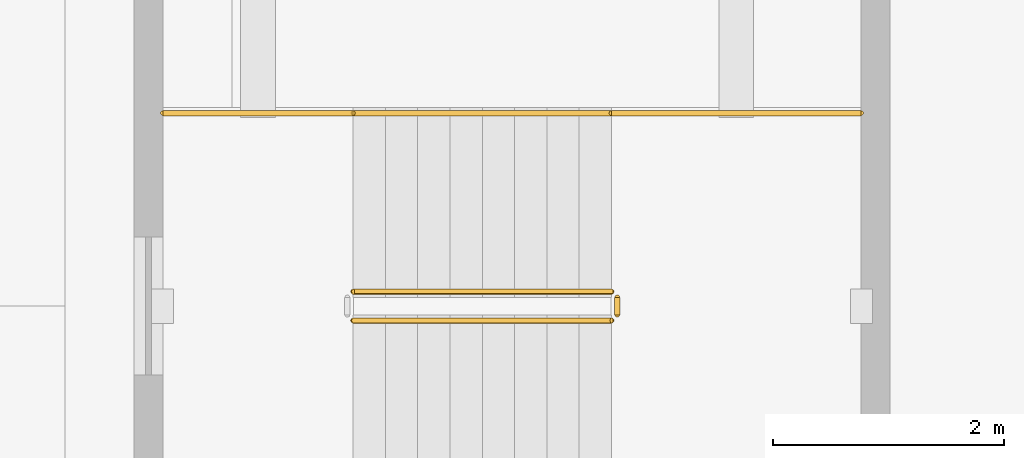
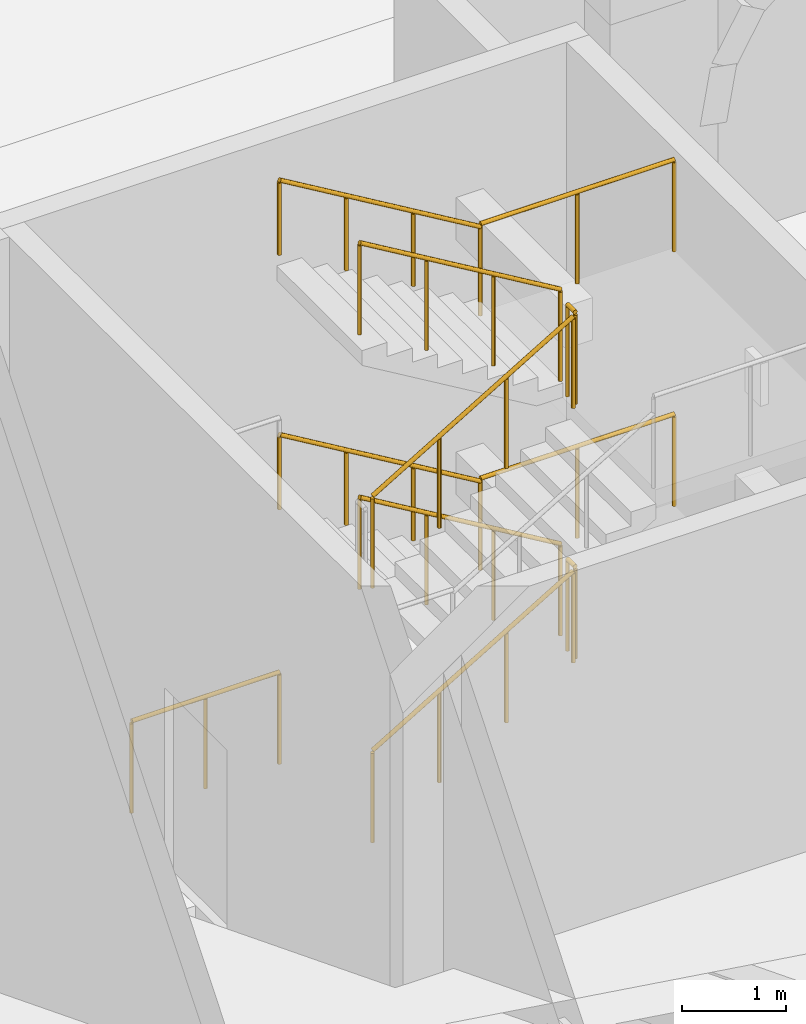
# One storey, part 117 of 125: 11 railings.
"""IFC4 building model written with IfcOpenShell, lengths in metres."""

from ifc_helpers import new_model, si_unit, direction, frame, origin, origin_2d, place, context, subcontext, project, spatial, circle, extrude, material, type_object, element, save


model = new_model("IFC4")

# Units and contexts
model_context = context("Model", 3, precision=1e-05, world=origin(), true_north=direction((0.0, 1.0)))
body_context = subcontext(model_context, "Body", "Model", "MODEL_VIEW")
ifc_project = project(units=[si_unit("LENGTHUNIT", "METRE"), si_unit("AREAUNIT", "SQUARE_METRE"), si_unit("VOLUMEUNIT", "CUBIC_METRE"), si_unit("PLANEANGLEUNIT", "RADIAN"), si_unit("MASSUNIT", "GRAM", prefix="KILO")], contexts=[model_context])

# Site, building, storey
site_placement = place(None, origin())
site = spatial("IfcSite", under=ifc_project, at=site_placement, CompositionType="ELEMENT")
building_placement = place(site_placement, origin())
building = spatial("IfcBuilding", under=site, at=building_placement, Name="Sun Court Science Centre", CompositionType="ELEMENT")
storey_placement = place(building_placement, origin())
storey = spatial("IfcBuildingStorey", under=building, at=storey_placement, Name="L00", CompositionType="ELEMENT", Elevation=0.0)

# Railings
ifc_material_1 = material(Name="Steel S275", Category="steel")
railing_type_1 = type_object("IfcRailingType", Name="Guard 1100 steel balustrade", PredefinedType="GUARDRAIL", material=ifc_material_1)
railing_1_placement = place(storey_placement, frame((19.347900390625, 67.875, 0.166748046875)))
element("IfcRailing", 1, at=railing_1_placement, inside=storey, type_object=railing_type_1, Name="L00 ST2 stair guard 1", PredefinedType="GUARDRAIL", context=body_context, shape_type="SweptSolid", body=[
    extrude(circle(Radius=0.02392578125, at=origin_2d()), frame((0.0, 0.0, 1.076171875), z_axis=(0.859305625298, 0.0, 0.511462454469), x_axis=(0.0, 1.0, 0.0)), (0.0, 0.0, 1.0), 2.606689453125),
    extrude(circle(Radius=0.02099609375, at=origin_2d()), origin(), (0.0, 0.0, 1.0), 1.052001953125),
    extrude(circle(Radius=0.02099609375, at=origin_2d()), frame((0.74658203125, 0.0, 0.4443359375)), (0.0, 0.0, 1.0), 1.052001953125),
    extrude(circle(Radius=0.02099609375, at=origin_2d()), frame((1.493408203125, 0.0, 0.888916015625)), (0.0, 0.0, 1.0), 1.052001953125),
    extrude(circle(Radius=0.02099609375, at=origin_2d()), frame((2.239990234375, 0.0, 1.333251953125)), (0.0, 0.0, 1.0), 1.052001953125),
])
railing_2_placement = place(storey_placement, frame((21.637939453125, 67.925048828125, 1.5)))
element("IfcRailing", 2, at=railing_2_placement, inside=storey, type_object=railing_type_1, Name="L00 ST2 stair guard 2", PredefinedType="GUARDRAIL", context=body_context, shape_type="SweptSolid", body=[
    extrude(circle(Radius=0.02392578125, at=origin_2d()), frame((0.0, 0.0, 1.076171875), z_axis=(0.0, 1.0, 0.0), x_axis=(-1.0, 0.0, 0.0)), (0.0, 0.0, 1.0), 0.14990234375),
    extrude(circle(Radius=0.02099609375, at=origin_2d()), origin(), (0.0, 0.0, 1.0), 1.052001953125),
    extrude(circle(Radius=0.02099609375, at=origin_2d()), frame((0.0, 0.14990234375, 0.0)), (0.0, 0.0, 1.0), 1.052001953125),
])
railing_3_placement = place(storey_placement, frame((21.587890625, 69.673095703125, 1.5)))
element("IfcRailing", 3, at=railing_3_placement, inside=storey, type_object=railing_type_1, Name="L00 ST2 stair guard 4", PredefinedType="GUARDRAIL", context=body_context, shape_type="SweptSolid", body=[
    extrude(circle(Radius=0.02392578125, at=origin_2d()), frame((0.0, 0.0, 1.076171875), z_axis=(1.0, 0.0, 0.0), x_axis=(0.0, 1.0, 0.0)), (0.0, 0.0, 1.0), 2.162109375),
    extrude(circle(Radius=0.02099609375, at=origin_2d()), origin(), (0.0, 0.0, 1.0), 1.052001953125),
    extrude(circle(Radius=0.02099609375, at=origin_2d()), frame((1.0810546875, 0.0, 0.0)), (0.0, 0.0, 1.0), 1.052001953125),
    extrude(circle(Radius=0.02099609375, at=origin_2d()), frame((2.162109375, 0.0, 0.0)), (0.0, 0.0, 1.0), 1.052001953125),
])
railing_4_placement = place(storey_placement, frame((21.587890625, 68.125, 1.666748046875)))
element("IfcRailing", 4, at=railing_4_placement, inside=storey, type_object=railing_type_1, Name="L00 ST2 stair guard 5", PredefinedType="GUARDRAIL", context=body_context, shape_type="SweptSolid", body=[
    extrude(circle(Radius=0.02392578125, at=origin_2d()), frame((0.0, 0.0, 1.076171875), z_axis=(-0.859305625298, 0.0, 0.511462454469), x_axis=(0.0, -1.0, 0.0)), (0.0, 0.0, 1.0), 2.606689453125),
    extrude(circle(Radius=0.02099609375, at=origin_2d()), origin(), (0.0, 0.0, 1.0), 1.052001953125),
    extrude(circle(Radius=0.02099609375, at=origin_2d()), frame((-0.74658203125, 0.0, 0.4443359375)), (0.0, 0.0, 1.0), 1.052001953125),
    extrude(circle(Radius=0.02099609375, at=origin_2d()), frame((-1.493408203125, 0.0, 0.888916015625)), (0.0, 0.0, 1.0), 1.052001953125),
    extrude(circle(Radius=0.02099609375, at=origin_2d()), frame((-2.239990234375, 0.0, 1.333251953125)), (0.0, 0.0, 1.0), 1.052001953125),
])
railing_5_placement = place(storey_placement, frame((19.347900390625, 67.875, 3.166748046875)))
element("IfcRailing", 5, at=railing_5_placement, inside=storey, type_object=railing_type_1, Name="L00 ST2 stair guard 9", PredefinedType="GUARDRAIL", context=body_context, shape_type="SweptSolid", body=[
    extrude(circle(Radius=0.02392578125, at=origin_2d()), frame((0.0, 0.0, 1.076171875), z_axis=(0.859305625298, 0.0, 0.511462454469), x_axis=(0.0, 1.0, 0.0)), (0.0, 0.0, 1.0), 2.606689453125),
    extrude(circle(Radius=0.02099609375, at=origin_2d()), origin(), (0.0, 0.0, 1.0), 1.052001953125),
    extrude(circle(Radius=0.02099609375, at=origin_2d()), frame((0.74658203125, 0.0, 0.4443359375)), (0.0, 0.0, 1.0), 1.052001953125),
    extrude(circle(Radius=0.02099609375, at=origin_2d()), frame((1.493408203125, 0.0, 0.888916015625)), (0.0, 0.0, 1.0), 1.052001953125),
    extrude(circle(Radius=0.02099609375, at=origin_2d()), frame((2.239990234375, 0.0, 1.333251953125)), (0.0, 0.0, 1.0), 1.052001953125),
])
railing_6_placement = place(storey_placement, frame((21.637939453125, 67.925048828125, 4.5)))
element("IfcRailing", 6, at=railing_6_placement, inside=storey, type_object=railing_type_1, Name="L00 ST2 stair guard 10", PredefinedType="GUARDRAIL", context=body_context, shape_type="SweptSolid", body=[
    extrude(circle(Radius=0.02392578125, at=origin_2d()), frame((0.0, 0.0, 1.076171875), z_axis=(0.0, 1.0, 0.0), x_axis=(-1.0, 0.0, 0.0)), (0.0, 0.0, 1.0), 0.14990234375),
    extrude(circle(Radius=0.02099609375, at=origin_2d()), origin(), (0.0, 0.0, 1.0), 1.052001953125),
    extrude(circle(Radius=0.02099609375, at=origin_2d()), frame((0.0, 0.14990234375, 0.0)), (0.0, 0.0, 1.0), 1.052001953125),
])
railing_7_placement = place(storey_placement, frame((21.587890625, 69.673095703125, 4.5)))
element("IfcRailing", 7, at=railing_7_placement, inside=storey, type_object=railing_type_1, Name="L00 ST2 stair guard 12", PredefinedType="GUARDRAIL", context=body_context, shape_type="SweptSolid", body=[
    extrude(circle(Radius=0.02392578125, at=origin_2d()), frame((0.0, 0.0, 1.076171875), z_axis=(1.0, 0.0, 0.0), x_axis=(0.0, 1.0, 0.0)), (0.0, 0.0, 1.0), 2.162109375),
    extrude(circle(Radius=0.02099609375, at=origin_2d()), origin(), (0.0, 0.0, 1.0), 1.052001953125),
    extrude(circle(Radius=0.02099609375, at=origin_2d()), frame((1.0810546875, 0.0, 0.0)), (0.0, 0.0, 1.0), 1.052001953125),
    extrude(circle(Radius=0.02099609375, at=origin_2d()), frame((2.162109375, 0.0, 0.0)), (0.0, 0.0, 1.0), 1.052001953125),
])
railing_8_placement = place(storey_placement, frame((21.587890625, 68.125, 4.666748046875)))
element("IfcRailing", 8, at=railing_8_placement, inside=storey, type_object=railing_type_1, Name="L00 ST2 stair guard 13", PredefinedType="GUARDRAIL", context=body_context, shape_type="SweptSolid", body=[
    extrude(circle(Radius=0.02392578125, at=origin_2d()), frame((0.0, 0.0, 1.076171875), z_axis=(-0.859305625298, 0.0, 0.511462454469), x_axis=(0.0, -1.0, 0.0)), (0.0, 0.0, 1.0), 2.606689453125),
    extrude(circle(Radius=0.02099609375, at=origin_2d()), origin(), (0.0, 0.0, 1.0), 1.052001953125),
    extrude(circle(Radius=0.02099609375, at=origin_2d()), frame((-0.74658203125, 0.0, 0.4443359375)), (0.0, 0.0, 1.0), 1.052001953125),
    extrude(circle(Radius=0.02099609375, at=origin_2d()), frame((-1.493408203125, 0.0, 0.888916015625)), (0.0, 0.0, 1.0), 1.052001953125),
    extrude(circle(Radius=0.02099609375, at=origin_2d()), frame((-2.239990234375, 0.0, 1.333251953125)), (0.0, 0.0, 1.0), 1.052001953125),
])
railing_9_placement = place(storey_placement, frame((17.699951171875, 69.673095703125, 0.0)))
element("IfcRailing", 9, at=railing_9_placement, inside=storey, type_object=railing_type_1, Name="L00 ST2 stair guard 16", PredefinedType="GUARDRAIL", context=body_context, shape_type="SweptSolid", body=[
    extrude(circle(Radius=0.02392578125, at=origin_2d()), frame((0.0, 0.0, 1.076171875), z_axis=(1.0, 0.0, 0.0), x_axis=(0.0, 1.0, 0.0)), (0.0, 0.0, 1.0), 1.64794921875),
    extrude(circle(Radius=0.02099609375, at=origin_2d()), origin(), (0.0, 0.0, 1.0), 1.052001953125),
    extrude(circle(Radius=0.02099609375, at=origin_2d()), frame((0.823974609375, 0.0, 0.0)), (0.0, 0.0, 1.0), 1.052001953125),
    extrude(circle(Radius=0.02099609375, at=origin_2d()), frame((1.64794921875, 0.0, 0.0)), (0.0, 0.0, 1.0), 1.052001953125),
])
ifc_material_2 = material(Name="Stainless steel", Category="steel")
railing_type_2 = type_object("IfcRailingType", Name="Handrail 900 stainless", PredefinedType="HANDRAIL", material=ifc_material_2)
for number, where, name in (
    (10, (21.587890625, 69.673095703125, 1.666748046875), "L00 ST2 stair handrail 2"),
    (11, (21.587890625, 69.673095703125, 4.666748046875), "L00 ST2 stair handrail 4"),
):
    element("IfcRailing", number, at=place(storey_placement, frame(where)), inside=storey, type_object=railing_type_2, Name=name, PredefinedType="HANDRAIL", context=body_context, shape_type="SweptSolid", body=[
        extrude(circle(Radius=0.02392578125, at=origin_2d()), frame((0.0, 0.0, 0.8759765625), z_axis=(-0.859305625298, 0.0, 0.511462454469), x_axis=(0.0, -1.0, 0.0)), (0.0, 0.0, 1.0), 2.606689453125),
        extrude(circle(Radius=0.02099609375, at=origin_2d()), origin(), (0.0, 0.0, 1.0), 0.851806640625),
        extrude(circle(Radius=0.02099609375, at=origin_2d()), frame((-0.74658203125, 0.0, 0.4443359375)), (0.0, 0.0, 1.0), 0.851806640625),
        extrude(circle(Radius=0.02099609375, at=origin_2d()), frame((-1.493408203125, 0.0, 0.888916015625)), (0.0, 0.0, 1.0), 0.851806640625),
        extrude(circle(Radius=0.02099609375, at=origin_2d()), frame((-2.239990234375, 0.0, 1.333251953125)), (0.0, 0.0, 1.0), 0.851806640625),
    ])

save(model, "model.ifc")
